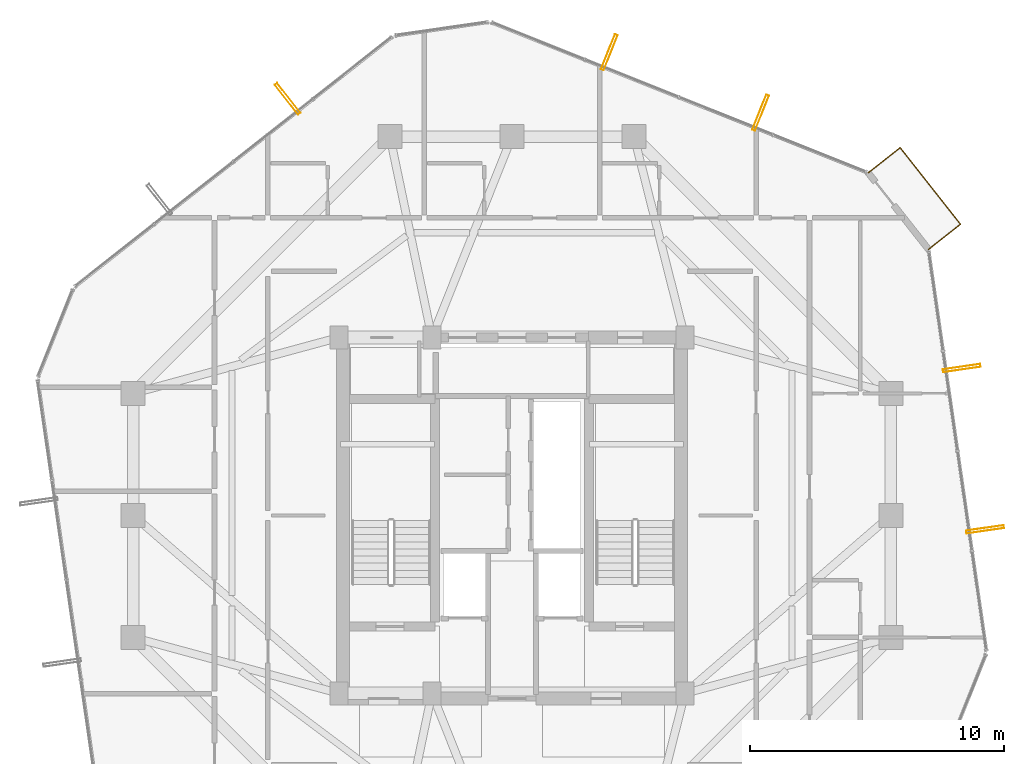
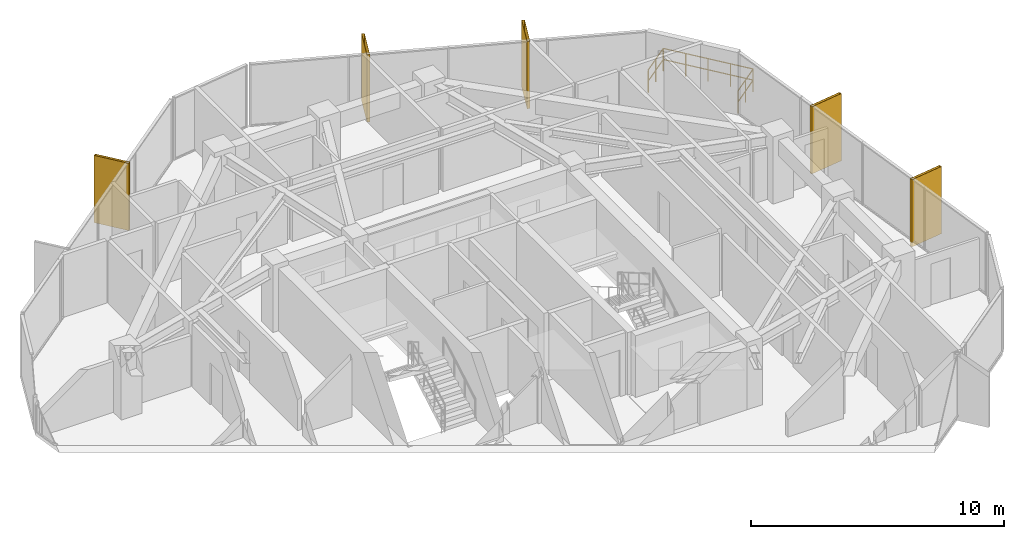
# One storey, part 31 of 31: 5 shading devices, 1 railing.
"""IFC4 building model written with IfcOpenShell, lengths in metres."""

from ifc_helpers import new_model, si_unit, direction, frame, origin, origin_2d, place, context, subcontext, project, spatial, hollow_rectangle, circle, extrude, material, material_profile, profile_set, type_object, element, save


model = new_model("IFC4")

# Units and contexts
model_context = context("Model", 3, precision=1e-05, world=origin(), true_north=direction((0.0, 1.0)))
body_context = subcontext(model_context, "Body", "Model", "MODEL_VIEW")
ifc_project = project(units=[si_unit("LENGTHUNIT", "METRE"), si_unit("AREAUNIT", "SQUARE_METRE"), si_unit("VOLUMEUNIT", "CUBIC_METRE"), si_unit("PLANEANGLEUNIT", "RADIAN"), si_unit("MASSUNIT", "GRAM", prefix="KILO")], contexts=[model_context])

# Site, building, storey
site_placement = place(None, origin())
site = spatial("IfcSite", under=ifc_project, at=site_placement, CompositionType="ELEMENT")
building_placement = place(site_placement, origin())
building = spatial("IfcBuilding", under=site, at=building_placement, Name="Veraguas Prism Commons", CompositionType="ELEMENT")
storey_placement = place(building_placement, frame((0.0, 0.0, 178.85009765625)))
storey = spatial("IfcBuildingStorey", under=building, at=storey_placement, Name="L50", CompositionType="ELEMENT", Elevation=178.85009765625)

# Shading devices
ifc_material_1 = material(Name="Anodised aluminium EN AW-6063 T6", Category="aluminium")
ifc_material_profile = material_profile(ifc_material_1, hollow_rectangle(XDim=0.1201171875, YDim=1.489990234375, WallThickness=0.006103515625, at=origin_2d()), Name="FIN120X1490X6")
ifc_profile_set = profile_set([ifc_material_profile], Name="Anodised aluminium EN AW-6063 T6")
shading_device_type = type_object("IfcShadingDeviceType", Name="Deep Pale-Metal Vertical Solar Fin 120x1490", PredefinedType="USERDEFINED", material=ifc_profile_set)
for number, where, z_axis, x_axis, name in (
    (1, (33.77880859375, 39.83740234375, -0.215087890625), (0.0, 0.0, 1.0), (-0.928616049733, 0.371042089497, 0.0), "Vertical Pale-Metal Solar Fin L50-F1A"),
    (2, (27.827392578125, 42.21533203125, -0.215087890625), (0.0, 0.0, 1.0), (-0.928616049733, 0.371042089497, 0.0), "Vertical Pale-Metal Solar Fin L50-F1B"),
    (3, (15.173828125, 40.387451171875, -0.215087890625), (0.0, 0.0, 1.0), (-0.78564098005, -0.618682673481, 0.0), "Vertical Pale-Metal Solar Fin L50-F2A"),
    (4, (42.60498046875, 23.449951171875, -0.215087890625), (0.0, 0.0, 1.0), (-0.142974422091, 0.989726383718, 0.0), "Vertical Pale-Metal Solar Fin L50-F6A"),
    (5, (41.688720703125, 29.79296875, -0.215087890625), (0.0, 0.0, 1.0), (-0.142974422091, 0.989726383718, 0.0), "Vertical Pale-Metal Solar Fin L50-F6B"),
):
    element("IfcShadingDevice", number, at=place(storey_placement, frame(where, z_axis=z_axis, x_axis=x_axis)), inside=storey, type_object=shading_device_type, Name=name, ObjectType="FIN", PredefinedType="USERDEFINED", context=body_context, shape_type="SweptSolid", body=[
        extrude(hollow_rectangle(XDim=0.1201171875, YDim=1.489990234375, WallThickness=0.006103515625, at=origin_2d()), origin(), (0.0, 0.0, 1.0), 3.25),
    ])

# Railing
ifc_material_2 = material(Name="Stainless steel AISI 316", Category="steel")
railing_type = type_object("IfcRailingType", Name="Loggia and Sky Pool Glazed Balustrade 1120", PredefinedType="BALUSTRADE", material=ifc_material_2)
railing_placement = place(storey_placement, frame((40.3828125, 34.4609375, 0.0)))
element("IfcRailing", 6, at=railing_placement, inside=storey, type_object=railing_type, Name="Recessed Corner Loggia L50-C1 Guard", PredefinedType="BALUSTRADE", context=body_context, shape_type="SweptSolid", body=[
    extrude(circle(Radius=0.02392578125, at=origin_2d()), frame((0.0, 0.0, 1.09619140625), z_axis=(0.785624263087, 0.61870390111, 0.0), x_axis=(-0.61870390111, 0.785624263087, 0.0)), (0.0, 0.0, 1.0), 1.60009765625),
    extrude(circle(Radius=0.02392578125, at=origin_2d()), frame((0.0, 0.0, 0.56005859375), z_axis=(0.785624263087, 0.61870390111, 0.0), x_axis=(-0.61870390111, 0.785624263087, 0.0)), (0.0, 0.0, 1.0), 1.60009765625),
    extrude(circle(Radius=0.02392578125, at=origin_2d()), frame((1.257080078125, 0.989990234375, 1.09619140625), z_axis=(-0.618690071529, 0.785635154121, 0.0), x_axis=(-0.785635154121, -0.618690071529, 0.0)), (0.0, 0.0, 1.0), 3.83447265625),
    extrude(circle(Radius=0.02392578125, at=origin_2d()), frame((1.257080078125, 0.989990234375, 0.56005859375), z_axis=(-0.618690071529, 0.785635154121, 0.0), x_axis=(-0.785635154121, -0.618690071529, 0.0)), (0.0, 0.0, 1.0), 3.83447265625),
    extrude(circle(Radius=0.02392578125, at=origin_2d()), frame((-1.115234375, 4.00244140625, 1.09619140625), z_axis=(-0.785624263087, -0.61870390111, 0.0), x_axis=(0.61870390111, -0.785624263087, 0.0)), (0.0, 0.0, 1.0), 1.60009765625),
    extrude(circle(Radius=0.02392578125, at=origin_2d()), frame((-1.115234375, 4.00244140625, 0.56005859375), z_axis=(-0.785624263087, -0.61870390111, 0.0), x_axis=(0.61870390111, -0.785624263087, 0.0)), (0.0, 0.0, 1.0), 1.60009765625),
    extrude(circle(Radius=0.02099609375, at=origin_2d()), origin(), (0.0, 0.0, 1.0), 1.072021484375),
    extrude(circle(Radius=0.02099609375, at=origin_2d()), frame((0.62841796875, 0.4951171875, 0.0)), (0.0, 0.0, 1.0), 1.072021484375),
    extrude(circle(Radius=0.02099609375, at=origin_2d()), frame((1.257080078125, 0.989990234375, 0.0)), (0.0, 0.0, 1.0), 1.072021484375),
    extrude(circle(Radius=0.02099609375, at=origin_2d()), frame((0.6640625, 1.7431640625, 0.0)), (0.0, 0.0, 1.0), 1.072021484375),
    extrude(circle(Radius=0.02099609375, at=origin_2d()), frame((0.07080078125, 2.49609375, 0.0)), (0.0, 0.0, 1.0), 1.072021484375),
    extrude(circle(Radius=0.02099609375, at=origin_2d()), frame((-0.522216796875, 3.249267578125, 0.0)), (0.0, 0.0, 1.0), 1.072021484375),
    extrude(circle(Radius=0.02099609375, at=origin_2d()), frame((-1.115234375, 4.00244140625, 0.0)), (0.0, 0.0, 1.0), 1.072021484375),
    extrude(circle(Radius=0.02099609375, at=origin_2d()), frame((-1.74365234375, 3.50732421875, 0.0)), (0.0, 0.0, 1.0), 1.072021484375),
    extrude(circle(Radius=0.02099609375, at=origin_2d()), frame((-2.372314453125, 3.012451171875, 0.0)), (0.0, 0.0, 1.0), 1.072021484375),
])

save(model, "model.ifc")
